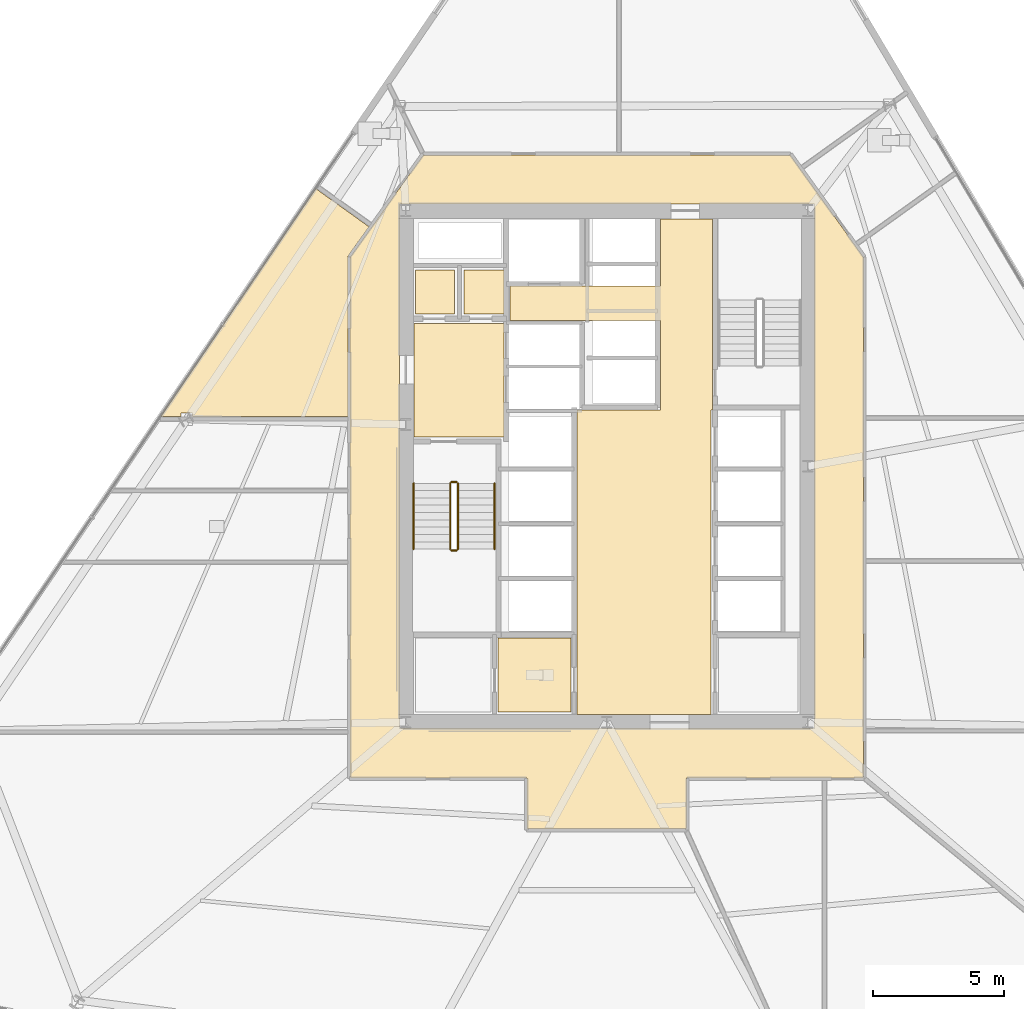
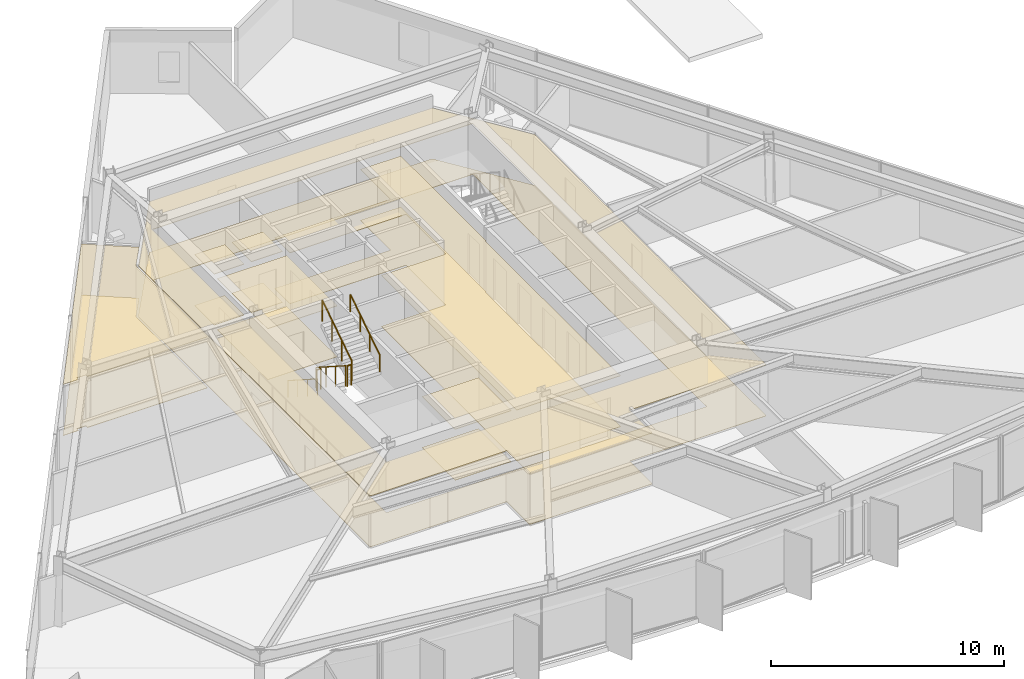
# One storey, part 13 of 16: 14 coverings, 6 railings.
"""IFC4 building model written with IfcOpenShell, lengths in metres."""

from ifc_helpers import new_model, si_unit, direction, frame, origin, origin_2d, place, context, subcontext, project, spatial, polyline, circle, outline, extrude, material, layer, layer_set, type_object, element, save


model = new_model("IFC4")

# Units and contexts
model_context = context("Model", 3, precision=1e-05, world=origin(), true_north=direction((0.0, 1.0)))
body_context = subcontext(model_context, "Body", "Model", "MODEL_VIEW")
ifc_project = project(units=[si_unit("LENGTHUNIT", "METRE"), si_unit("AREAUNIT", "SQUARE_METRE"), si_unit("VOLUMEUNIT", "CUBIC_METRE"), si_unit("PLANEANGLEUNIT", "RADIAN"), si_unit("MASSUNIT", "GRAM", prefix="KILO")], contexts=[model_context])

# Site, building, storey
site_placement = place(None, origin())
site = spatial("IfcSite", under=ifc_project, at=site_placement, CompositionType="ELEMENT")
building_placement = place(site_placement, origin())
building = spatial("IfcBuilding", under=site, at=building_placement, Name="Savorim Split Tower", CompositionType="ELEMENT")
storey_placement = place(building_placement, frame((0.0, 0.0, 30.0)))
storey = spatial("IfcBuildingStorey", under=building, at=storey_placement, Name="L07", CompositionType="ELEMENT", Elevation=30.0)

# Coverings
ifc_material_1 = material(Name="Mineral Fibre Acoustic Ceiling")
ifc_layer_1 = layer(ifc_material_1, 0.02490234375)
ifc_layer_set_1 = layer_set([ifc_layer_1], Name="COV-CEIL-25")
covering_type_1 = type_object("IfcCoveringType", Name="COV-CEIL-25", PredefinedType="CEILING", material=ifc_layer_set_1)
covering_1_placement = place(storey_placement, frame((0.0, 0.0, 2.669921875)))
element("IfcCovering", 1, at=covering_1_placement, inside=storey, type_object=covering_type_1, Name="L07 Firefighting Lift Lobby Acoustic Ceiling", PredefinedType="CEILING", context=body_context, shape_type="SweptSolid", body=[
    extrude(outline(polyline([(-7.3798828125, 5.8701171875), (-7.3798828125, 1.530029296875), (-3.929931640625, 1.530029296875), (-3.929931640625, 5.8701171875), (-7.3798828125, 5.8701171875)])), origin(), (0.0, 0.0, 1.0), 0.025146484375),
])
covering_2_placement = place(storey_placement, frame((0.0, 0.0, 2.669921875)))
element("IfcCovering", 2, at=covering_2_placement, inside=storey, type_object=covering_type_1, Name="L07 Electrical Riser Acoustic Ceiling", PredefinedType="CEILING", context=body_context, shape_type="SweptSolid", body=[
    extrude(outline(polyline([(-7.320068359375, 7.919921875), (-7.320068359375, 6.22998046875), (-5.830078125, 6.22998046875), (-5.830078125, 7.919921875), (-7.320068359375, 7.919921875)])), origin(), (0.0, 0.0, 1.0), 0.025146484375),
])
covering_3_placement = place(storey_placement, frame((0.0, 0.0, 2.669921875)))
element("IfcCovering", 3, at=covering_3_placement, inside=storey, type_object=covering_type_1, Name="L07 Telecom Riser Acoustic Ceiling", PredefinedType="CEILING", context=body_context, shape_type="SweptSolid", body=[
    extrude(outline(polyline([(-5.469970703125, 7.919921875), (-5.469970703125, 6.22998046875), (-3.929931640625, 6.22998046875), (-3.929931640625, 7.919921875), (-5.469970703125, 7.919921875)])), origin(), (0.0, 0.0, 1.0), 0.025146484375),
])
covering_4_placement = place(storey_placement, frame((0.0, 0.0, 2.669921875)))
element("IfcCovering", 4, at=covering_4_placement, inside=storey, type_object=covering_type_1, Name="L07 Lift Lobby Acoustic Ceiling", PredefinedType="CEILING", context=body_context, shape_type="SweptSolid", body=[
    extrude(outline(polyline([(2.050048828125, 2.550048828125), (-1.14990234375, 2.550048828125), (-1.14990234375, -9.10009765625), (4.0, -9.10009765625), (4.0, 2.550048828125), (4.050048828125, 2.550048828125), (4.050048828125, 5.97998046875), (4.050048828125, 7.300048828125), (4.050048828125, 9.8798828125), (2.050048828125, 9.8798828125), (2.050048828125, 7.300048828125), (-3.699951171875, 7.300048828125), (-3.699951171875, 5.97998046875), (2.050048828125, 5.97998046875), (2.050048828125, 2.550048828125)])), origin(), (0.0, 0.0, 1.0), 0.025146484375),
])
covering_5_placement = place(storey_placement, frame((0.0, 0.0, 2.669921875)))
element("IfcCovering", 5, at=covering_5_placement, inside=storey, type_object=covering_type_1, Name="L07 Accessible WC Acoustic Ceiling", PredefinedType="CEILING", context=body_context, shape_type="SweptSolid", body=[
    extrude(outline(polyline([(-4.169921875, -6.179931640625), (-4.169921875, -9.02001953125), (-1.3798828125, -9.02001953125), (-1.3798828125, -6.179931640625), (-4.169921875, -6.179931640625)])), origin(), (0.0, 0.0, 1.0), 0.025146484375),
])
covering_6_placement = place(storey_placement, frame((0.0, 0.0, 2.669921875)))
element("IfcCovering", 6, at=covering_6_placement, inside=storey, type_object=covering_type_1, Name="L07 Corridor Acoustic Ceiling", PredefinedType="CEILING", context=body_context, shape_type="SweptSolid", body=[
    extrude(outline(polyline([(7.009521484375, 12.3291015625), (7.004638671875, 12.329833984375), (7.0, 12.330078125), (-7.0, 12.330078125), (-7.004638671875, 12.329833984375), (-7.009521484375, 12.3291015625), (-7.013916015625, 12.327880859375), (-7.0185546875, 12.326416015625), (-7.022705078125, 12.324462890625), (-7.027099609375, 12.322021484375), (-7.03076171875, 12.3193359375), (-7.034423828125, 12.31640625), (-7.03759765625, 12.312744140625), (-7.04052734375, 12.30908203125), (-9.820556640625, 8.42919921875), (-9.823486328125, 8.4248046875), (-9.82568359375, 8.420166015625), (-9.82763671875, 8.415283203125), (-9.828857421875, 8.410400390625), (-9.82958984375, 8.4052734375), (-9.830078125, 8.39990234375), (-9.830078125, -11.47998046875), (-9.829833984375, -11.48486328125), (-9.8291015625, -11.48974609375), (-9.827880859375, -11.494384765625), (-9.826171875, -11.4990234375), (-9.82421875, -11.503662109375), (-9.821533203125, -11.5078125), (-9.818603515625, -11.51171875), (-9.8154296875, -11.515380859375), (-9.811767578125, -11.518798828125), (-9.807861328125, -11.521484375), (-9.8037109375, -11.524169921875), (-9.799072265625, -11.526123046875), (-9.79443359375, -11.52783203125), (-9.789794921875, -11.529052734375), (-9.784912109375, -11.52978515625), (-9.780029296875, -11.530029296875), (-3.050048828125, -11.530029296875), (-3.050048828125, -13.449951171875), (-3.0498046875, -13.454833984375), (-3.049072265625, -13.459716796875), (-3.0478515625, -13.464599609375), (-3.046142578125, -13.468994140625), (-3.044189453125, -13.4736328125), (-3.04150390625, -13.477783203125), (-3.038818359375, -13.481689453125), (-3.035400390625, -13.4853515625), (-3.03173828125, -13.48876953125), (-3.02783203125, -13.49169921875), (-3.023681640625, -13.494140625), (-3.01904296875, -13.49609375), (-3.014404296875, -13.497802734375), (-3.009765625, -13.4990234375), (-3.0048828125, -13.499755859375), (-3.0, -13.5), (3.0, -13.5), (3.0048828125, -13.499755859375), (3.009765625, -13.4990234375), (3.014404296875, -13.497802734375), (3.01904296875, -13.49609375), (3.023681640625, -13.494140625), (3.02783203125, -13.49169921875), (3.03173828125, -13.48876953125), (3.035400390625, -13.4853515625), (3.038818359375, -13.481689453125), (3.04150390625, -13.477783203125), (3.044189453125, -13.4736328125), (3.046142578125, -13.468994140625), (3.0478515625, -13.464599609375), (3.049072265625, -13.459716796875), (3.0498046875, -13.454833984375), (3.050048828125, -13.449951171875), (3.050048828125, -11.530029296875), (9.780029296875, -11.530029296875), (9.784912109375, -11.52978515625), (9.789794921875, -11.529052734375), (9.79443359375, -11.52783203125), (9.799072265625, -11.526123046875), (9.8037109375, -11.524169921875), (9.807861328125, -11.521484375), (9.811767578125, -11.518798828125), (9.8154296875, -11.515380859375), (9.818603515625, -11.51171875), (9.821533203125, -11.5078125), (9.82421875, -11.503662109375), (9.826171875, -11.4990234375), (9.827880859375, -11.494384765625), (9.8291015625, -11.48974609375), (9.829833984375, -11.48486328125), (9.830078125, -11.47998046875), (9.830078125, 8.39990234375), (9.82958984375, 8.4052734375), (9.828857421875, 8.410400390625), (9.82763671875, 8.415283203125), (9.82568359375, 8.420166015625), (9.823486328125, 8.4248046875), (9.820556640625, 8.42919921875), (7.04052734375, 12.30908203125), (7.03759765625, 12.312744140625), (7.034423828125, 12.31640625), (7.03076171875, 12.3193359375), (7.027099609375, 12.322021484375), (7.022705078125, 12.324462890625), (7.0185546875, 12.326416015625), (7.013916015625, 12.327880859375), (7.009521484375, 12.3291015625)]), holes=[polyline([(-7.949951171875, 10.449951171875), (-7.949951171875, -9.64990234375), (7.949951171875, -9.64990234375), (7.949951171875, 10.449951171875), (-7.949951171875, 10.449951171875)])]), origin(), (0.0, 0.0, 1.0), 0.025146484375),
])
covering_7_placement = place(storey_placement, frame((0.0, 0.0, 2.669921875)))
element("IfcCovering", 7, at=covering_7_placement, inside=storey, type_object=covering_type_1, Name="L07 Co-Living Bedroom Acoustic Ceiling", PredefinedType="CEILING", context=body_context, shape_type="SweptSolid", body=[
    extrude(outline(polyline([(-9.908203125, 8.456298828125), (-9.901611328125, 8.46923828125), (-9.893798828125, 8.4814453125), (-9.10888671875, 9.576904296875), (-11.1484375, 11.0380859375), (-17.0927734375, 2.300048828125), (-16.314697265625, 2.300048828125), (-16.314697265625, 2.43798828125), (-15.87890625, 2.43798828125), (-15.87890625, 2.300048828125), (-9.919921875, 2.300048828125), (-9.919921875, 8.39990234375), (-9.919189453125, 8.41455078125), (-9.9169921875, 8.4287109375), (-9.913330078125, 8.44287109375), (-9.908203125, 8.456298828125)])), origin(), (0.0, 0.0, 1.0), 0.025146484375),
])
ifc_material_2 = material(Name="Porcelain Stoneware Flooring", Category="masonry")
ifc_layer_2 = layer(ifc_material_2, 0.02001953125)
ifc_layer_set_2 = layer_set([ifc_layer_2], Name="COV-FLOR-20")
covering_type_2 = type_object("IfcCoveringType", Name="COV-FLOR-20", PredefinedType="FLOORING", material=ifc_layer_set_2)
covering_8_placement = place(storey_placement, origin())
element("IfcCovering", 8, at=covering_8_placement, inside=storey, type_object=covering_type_2, Name="L07 Firefighting Lift Lobby Porcelain Flooring", PredefinedType="FLOORING", context=body_context, shape_type="SweptSolid", body=[
    extrude(outline(polyline([(-7.3798828125, 5.8701171875), (-7.3798828125, 1.530029296875), (-3.929931640625, 1.530029296875), (-3.929931640625, 5.8701171875), (-7.3798828125, 5.8701171875)])), origin(), (0.0, 0.0, 1.0), 0.02001953125),
])
covering_9_placement = place(storey_placement, origin())
element("IfcCovering", 9, at=covering_9_placement, inside=storey, type_object=covering_type_2, Name="L07 Electrical Riser Porcelain Flooring", PredefinedType="FLOORING", context=body_context, shape_type="SweptSolid", body=[
    extrude(outline(polyline([(-7.320068359375, 7.919921875), (-7.320068359375, 6.22998046875), (-5.830078125, 6.22998046875), (-5.830078125, 7.919921875), (-7.320068359375, 7.919921875)])), origin(), (0.0, 0.0, 1.0), 0.02001953125),
])
covering_10_placement = place(storey_placement, origin())
element("IfcCovering", 10, at=covering_10_placement, inside=storey, type_object=covering_type_2, Name="L07 Telecom Riser Porcelain Flooring", PredefinedType="FLOORING", context=body_context, shape_type="SweptSolid", body=[
    extrude(outline(polyline([(-5.469970703125, 7.919921875), (-5.469970703125, 6.22998046875), (-3.929931640625, 6.22998046875), (-3.929931640625, 7.919921875), (-5.469970703125, 7.919921875)])), origin(), (0.0, 0.0, 1.0), 0.02001953125),
])
covering_11_placement = place(storey_placement, origin())
element("IfcCovering", 11, at=covering_11_placement, inside=storey, type_object=covering_type_2, Name="L07 Lift Lobby Porcelain Flooring", PredefinedType="FLOORING", context=body_context, shape_type="SweptSolid", body=[
    extrude(outline(polyline([(2.050048828125, 2.550048828125), (-1.14990234375, 2.550048828125), (-1.14990234375, -9.10009765625), (4.0, -9.10009765625), (4.0, 2.550048828125), (4.050048828125, 2.550048828125), (4.050048828125, 5.97998046875), (4.050048828125, 7.300048828125), (4.050048828125, 9.8798828125), (2.050048828125, 9.8798828125), (2.050048828125, 7.300048828125), (-3.699951171875, 7.300048828125), (-3.699951171875, 5.97998046875), (2.050048828125, 5.97998046875), (2.050048828125, 2.550048828125)])), origin(), (0.0, 0.0, 1.0), 0.02001953125),
])
covering_12_placement = place(storey_placement, origin())
element("IfcCovering", 12, at=covering_12_placement, inside=storey, type_object=covering_type_2, Name="L07 Accessible WC Porcelain Flooring", PredefinedType="FLOORING", context=body_context, shape_type="SweptSolid", body=[
    extrude(outline(polyline([(-4.169921875, -6.179931640625), (-4.169921875, -9.02001953125), (-1.3798828125, -9.02001953125), (-1.3798828125, -6.179931640625), (-4.169921875, -6.179931640625)])), origin(), (0.0, 0.0, 1.0), 0.02001953125),
])
covering_13_placement = place(storey_placement, origin())
element("IfcCovering", 13, at=covering_13_placement, inside=storey, type_object=covering_type_2, Name="L07 Corridor Porcelain Flooring", PredefinedType="FLOORING", context=body_context, shape_type="SweptSolid", body=[
    extrude(outline(polyline([(7.009521484375, 12.3291015625), (7.004638671875, 12.329833984375), (7.0, 12.330078125), (-7.0, 12.330078125), (-7.004638671875, 12.329833984375), (-7.009521484375, 12.3291015625), (-7.013916015625, 12.327880859375), (-7.0185546875, 12.326416015625), (-7.022705078125, 12.324462890625), (-7.027099609375, 12.322021484375), (-7.03076171875, 12.3193359375), (-7.034423828125, 12.31640625), (-7.03759765625, 12.312744140625), (-7.04052734375, 12.30908203125), (-9.820556640625, 8.42919921875), (-9.823486328125, 8.4248046875), (-9.82568359375, 8.420166015625), (-9.82763671875, 8.415283203125), (-9.828857421875, 8.410400390625), (-9.82958984375, 8.4052734375), (-9.830078125, 8.39990234375), (-9.830078125, -11.47998046875), (-9.829833984375, -11.48486328125), (-9.8291015625, -11.48974609375), (-9.827880859375, -11.494384765625), (-9.826171875, -11.4990234375), (-9.82421875, -11.503662109375), (-9.821533203125, -11.5078125), (-9.818603515625, -11.51171875), (-9.8154296875, -11.515380859375), (-9.811767578125, -11.518798828125), (-9.807861328125, -11.521484375), (-9.8037109375, -11.524169921875), (-9.799072265625, -11.526123046875), (-9.79443359375, -11.52783203125), (-9.789794921875, -11.529052734375), (-9.784912109375, -11.52978515625), (-9.780029296875, -11.530029296875), (-3.050048828125, -11.530029296875), (-3.050048828125, -13.449951171875), (-3.0498046875, -13.454833984375), (-3.049072265625, -13.459716796875), (-3.0478515625, -13.464599609375), (-3.046142578125, -13.468994140625), (-3.044189453125, -13.4736328125), (-3.04150390625, -13.477783203125), (-3.038818359375, -13.481689453125), (-3.035400390625, -13.4853515625), (-3.03173828125, -13.48876953125), (-3.02783203125, -13.49169921875), (-3.023681640625, -13.494140625), (-3.01904296875, -13.49609375), (-3.014404296875, -13.497802734375), (-3.009765625, -13.4990234375), (-3.0048828125, -13.499755859375), (-3.0, -13.5), (3.0, -13.5), (3.0048828125, -13.499755859375), (3.009765625, -13.4990234375), (3.014404296875, -13.497802734375), (3.01904296875, -13.49609375), (3.023681640625, -13.494140625), (3.02783203125, -13.49169921875), (3.03173828125, -13.48876953125), (3.035400390625, -13.4853515625), (3.038818359375, -13.481689453125), (3.04150390625, -13.477783203125), (3.044189453125, -13.4736328125), (3.046142578125, -13.468994140625), (3.0478515625, -13.464599609375), (3.049072265625, -13.459716796875), (3.0498046875, -13.454833984375), (3.050048828125, -13.449951171875), (3.050048828125, -11.530029296875), (9.780029296875, -11.530029296875), (9.784912109375, -11.52978515625), (9.789794921875, -11.529052734375), (9.79443359375, -11.52783203125), (9.799072265625, -11.526123046875), (9.8037109375, -11.524169921875), (9.807861328125, -11.521484375), (9.811767578125, -11.518798828125), (9.8154296875, -11.515380859375), (9.818603515625, -11.51171875), (9.821533203125, -11.5078125), (9.82421875, -11.503662109375), (9.826171875, -11.4990234375), (9.827880859375, -11.494384765625), (9.8291015625, -11.48974609375), (9.829833984375, -11.48486328125), (9.830078125, -11.47998046875), (9.830078125, 8.39990234375), (9.82958984375, 8.4052734375), (9.828857421875, 8.410400390625), (9.82763671875, 8.415283203125), (9.82568359375, 8.420166015625), (9.823486328125, 8.4248046875), (9.820556640625, 8.42919921875), (7.04052734375, 12.30908203125), (7.03759765625, 12.312744140625), (7.034423828125, 12.31640625), (7.03076171875, 12.3193359375), (7.027099609375, 12.322021484375), (7.022705078125, 12.324462890625), (7.0185546875, 12.326416015625), (7.013916015625, 12.327880859375), (7.009521484375, 12.3291015625)]), holes=[polyline([(-7.949951171875, 10.449951171875), (-7.949951171875, -9.64990234375), (7.949951171875, -9.64990234375), (7.949951171875, 10.449951171875), (-7.949951171875, 10.449951171875)])]), origin(), (0.0, 0.0, 1.0), 0.02001953125),
])
covering_14_placement = place(storey_placement, origin())
element("IfcCovering", 14, at=covering_14_placement, inside=storey, type_object=covering_type_2, Name="L07 Co-Living Bedroom Porcelain Flooring", PredefinedType="FLOORING", context=body_context, shape_type="SweptSolid", body=[
    extrude(outline(polyline([(-9.908203125, 8.456298828125), (-9.901611328125, 8.46923828125), (-9.893798828125, 8.4814453125), (-9.10888671875, 9.576904296875), (-11.1484375, 11.0380859375), (-17.0927734375, 2.300048828125), (-16.314697265625, 2.300048828125), (-16.314697265625, 2.43798828125), (-15.87890625, 2.43798828125), (-15.87890625, 2.300048828125), (-9.919921875, 2.300048828125), (-9.919921875, 8.39990234375), (-9.919189453125, 8.41455078125), (-9.9169921875, 8.4287109375), (-9.913330078125, 8.44287109375), (-9.908203125, 8.456298828125)])), origin(), (0.0, 0.0, 1.0), 0.02001953125),
])

# Railings
ifc_material_3 = material(Name="Galvanised Painted Steel Balustrade", Category="steel")
railing_type_1 = type_object("IfcRailingType", Name="RLG-HR-900", PredefinedType="HANDRAIL", material=ifc_material_3)
railing_1_placement = place(storey_placement, frame((-7.39990234375, -0.25, 0.179931640625)))
element("IfcRailing", 15, at=railing_1_placement, inside=storey, type_object=railing_type_1, Name="L07 ST-1 stair handrail 1", PredefinedType="HANDRAIL", context=body_context, shape_type="SweptSolid", body=[
    extrude(circle(Radius=0.02392578125, at=origin_2d()), frame((0.0, 0.0, 0.8759765625), z_axis=(0.0, -0.841162588446, 0.540782303519), x_axis=(1.0, 0.0, 0.0)), (0.0, 0.0, 1.0), 2.995849609375),
    extrude(circle(Radius=0.02099609375, at=origin_2d()), origin(), (0.0, 0.0, 1.0), 0.851806640625),
    extrude(circle(Radius=0.02099609375, at=origin_2d()), frame((0.0, -0.840087890625, 0.5400390625)), (0.0, 0.0, 1.0), 0.851806640625),
    extrude(circle(Radius=0.02099609375, at=origin_2d()), frame((0.0, -1.679931640625, 1.080078125)), (0.0, 0.0, 1.0), 0.851806640625),
    extrude(circle(Radius=0.02099609375, at=origin_2d()), frame((0.0, -2.52001953125, 1.6201171875)), (0.0, 0.0, 1.0), 0.851806640625),
])
railing_2_placement = place(storey_placement, frame((-4.300048828125, -2.77001953125, 1.97998046875)))
element("IfcRailing", 16, at=railing_2_placement, inside=storey, type_object=railing_type_1, Name="L07 ST-1 stair handrail 2", PredefinedType="HANDRAIL", context=body_context, shape_type="SweptSolid", body=[
    extrude(circle(Radius=0.02392578125, at=origin_2d()), frame((0.0, 0.0, 0.8759765625), z_axis=(0.0, 0.841162588446, 0.540782303519), x_axis=(-1.0, 0.0, 0.0)), (0.0, 0.0, 1.0), 2.995849609375),
    extrude(circle(Radius=0.02099609375, at=origin_2d()), origin(), (0.0, 0.0, 1.0), 0.851806640625),
    extrude(circle(Radius=0.02099609375, at=origin_2d()), frame((0.0, 0.840087890625, 0.5400390625)), (0.0, 0.0, 1.0), 0.851806640625),
    extrude(circle(Radius=0.02099609375, at=origin_2d()), frame((0.0, 1.679931640625, 1.080078125)), (0.0, 0.0, 1.0), 0.851806640625),
    extrude(circle(Radius=0.02099609375, at=origin_2d()), frame((0.0, 2.52001953125, 1.6201171875)), (0.0, 0.0, 1.0), 0.851806640625),
])
railing_type_2 = type_object("IfcRailingType", Name="RLG-STG-1100", PredefinedType="BALUSTRADE", material=ifc_material_3)
railing_3_placement = place(storey_placement, frame((-6.0, -0.25, 0.179931640625)))
element("IfcRailing", 17, at=railing_3_placement, inside=storey, type_object=railing_type_2, Name="L07 ST-1 stair guard 1", PredefinedType="BALUSTRADE", context=body_context, shape_type="SweptSolid", body=[
    extrude(circle(Radius=0.02392578125, at=origin_2d()), frame((0.0, 0.0, 1.076171875), z_axis=(0.0, -0.841162588446, 0.540782303519), x_axis=(1.0, 0.0, 0.0)), (0.0, 0.0, 1.0), 2.995849609375),
    extrude(circle(Radius=0.02099609375, at=origin_2d()), origin(), (0.0, 0.0, 1.0), 1.052001953125),
    extrude(circle(Radius=0.02099609375, at=origin_2d()), frame((0.0, -0.840087890625, 0.5400390625)), (0.0, 0.0, 1.0), 1.052001953125),
    extrude(circle(Radius=0.02099609375, at=origin_2d()), frame((0.0, -1.679931640625, 1.080078125)), (0.0, 0.0, 1.0), 1.052001953125),
    extrude(circle(Radius=0.02099609375, at=origin_2d()), frame((0.0, -2.52001953125, 1.6201171875)), (0.0, 0.0, 1.0), 1.052001953125),
])
railing_4_placement = place(storey_placement, frame((-5.949951171875, -2.820068359375, 1.800048828125)))
element("IfcRailing", 18, at=railing_4_placement, inside=storey, type_object=railing_type_2, Name="L07 ST-1 stair guard 2", PredefinedType="BALUSTRADE", context=body_context, shape_type="SweptSolid", body=[
    extrude(circle(Radius=0.02392578125, at=origin_2d()), frame((0.0, 0.0, 1.076171875), z_axis=(1.0, 0.0, 0.0), x_axis=(0.0, 1.0, 0.0)), (0.0, 0.0, 1.0), 0.199951171875),
    extrude(circle(Radius=0.02099609375, at=origin_2d()), origin(), (0.0, 0.0, 1.0), 1.052001953125),
    extrude(circle(Radius=0.02099609375, at=origin_2d()), frame((0.199951171875, 0.0, 0.0)), (0.0, 0.0, 1.0), 1.052001953125),
])
railing_5_placement = place(storey_placement, frame((-5.699951171875, -2.77001953125, 1.97998046875)))
element("IfcRailing", 19, at=railing_5_placement, inside=storey, type_object=railing_type_2, Name="L07 ST-1 stair guard 3", PredefinedType="BALUSTRADE", context=body_context, shape_type="SweptSolid", body=[
    extrude(circle(Radius=0.02392578125, at=origin_2d()), frame((0.0, 0.0, 1.076171875), z_axis=(0.0, 0.841162588446, 0.540782303519), x_axis=(-1.0, 0.0, 0.0)), (0.0, 0.0, 1.0), 2.995849609375),
    extrude(circle(Radius=0.02099609375, at=origin_2d()), origin(), (0.0, 0.0, 1.0), 1.052001953125),
    extrude(circle(Radius=0.02099609375, at=origin_2d()), frame((0.0, 0.840087890625, 0.5400390625)), (0.0, 0.0, 1.0), 1.052001953125),
    extrude(circle(Radius=0.02099609375, at=origin_2d()), frame((0.0, 1.679931640625, 1.080078125)), (0.0, 0.0, 1.0), 1.052001953125),
    extrude(circle(Radius=0.02099609375, at=origin_2d()), frame((0.0, 2.52001953125, 1.6201171875)), (0.0, 0.0, 1.0), 1.052001953125),
])
railing_6_placement = place(storey_placement, frame((-5.949951171875, -0.199951171875, 0.0)))
element("IfcRailing", 20, at=railing_6_placement, inside=storey, type_object=railing_type_2, Name="L07 ST-1 stair guard 4", PredefinedType="BALUSTRADE", context=body_context, shape_type="SweptSolid", body=[
    extrude(circle(Radius=0.02392578125, at=origin_2d()), frame((0.0, 0.0, 1.076171875), z_axis=(1.0, 0.0, 0.0), x_axis=(0.0, 1.0, 0.0)), (0.0, 0.0, 1.0), 0.199951171875),
    extrude(circle(Radius=0.02099609375, at=origin_2d()), origin(), (0.0, 0.0, 1.0), 1.052001953125),
    extrude(circle(Radius=0.02099609375, at=origin_2d()), frame((0.199951171875, 0.0, 0.0)), (0.0, 0.0, 1.0), 1.052001953125),
])

save(model, "model.ifc")
